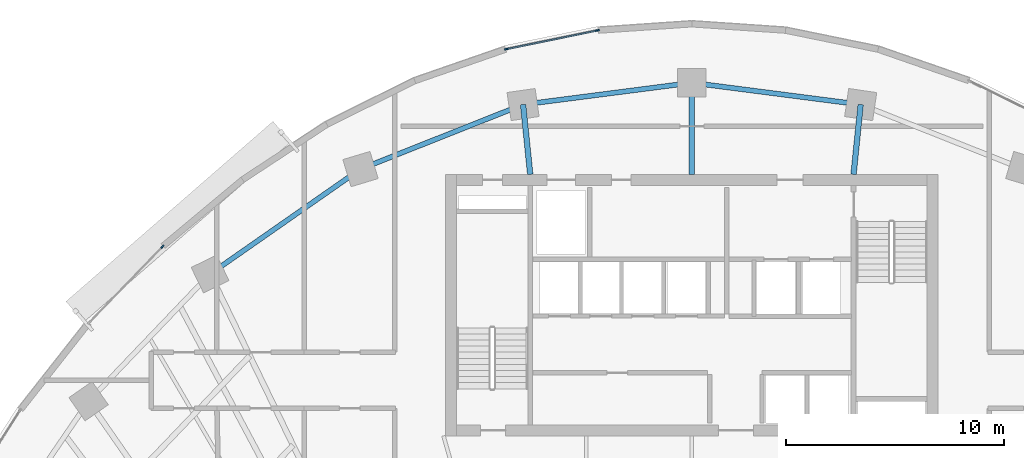
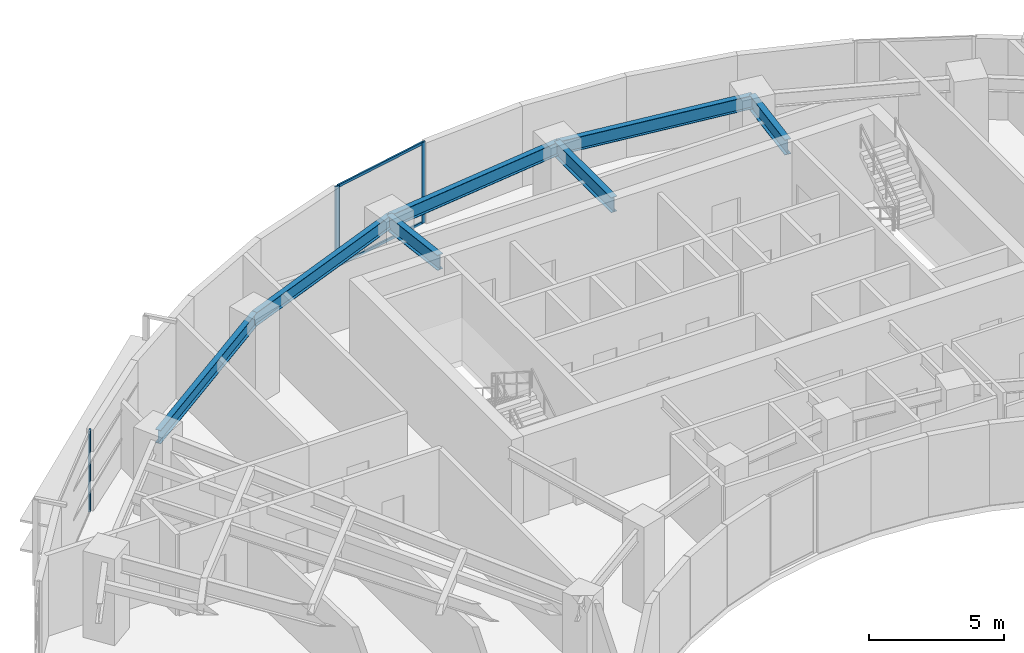
# One storey, part 5 of 14: 7 beams, 5 members, 2 elements without a shape of their own.
"""IFC4 building model written with IfcOpenShell, lengths in metres."""

from ifc_helpers import new_model, si_unit, direction, frame, origin, origin_2d, place, context, subcontext, project, spatial, rectangle, i_section, extrude, source, transform, mapped, material, layer, layer_set, material_profile, profile_set, type_object, element, aggregate, save


model = new_model("IFC4")

# Units and contexts
model_context = context("Model", 3, precision=1e-05, world=origin(), true_north=direction((0.0, 1.0)))
body_context = subcontext(model_context, "Body", "Model", "MODEL_VIEW")
ifc_project = project(units=[si_unit("LENGTHUNIT", "METRE"), si_unit("AREAUNIT", "SQUARE_METRE"), si_unit("VOLUMEUNIT", "CUBIC_METRE"), si_unit("PLANEANGLEUNIT", "RADIAN"), si_unit("MASSUNIT", "GRAM", prefix="KILO")], contexts=[model_context])

# Site, building, storey
site_placement = place(None, origin())
site = spatial("IfcSite", under=ifc_project, at=site_placement, CompositionType="ELEMENT")
building_placement = place(site_placement, origin())
building = spatial("IfcBuilding", under=site, at=building_placement, Name="Breltana Convention Tower", CompositionType="ELEMENT")
storey_placement = place(building_placement, frame((0.0, 0.0, 131.10009765625)))
storey = spatial("IfcBuildingStorey", under=building, at=storey_placement, Name="L31", CompositionType="ELEMENT", Elevation=131.10009765625)

# Beams
ifc_material_1 = material(Name="Steel ASTM A992 Grade 50", Category="steel")
ifc_material_profile_1 = material_profile(ifc_material_1, i_section(OverallWidth=0.25390625, OverallDepth=0.68798828125, WebThickness=0.01318359375, FlangeThickness=0.02099609375, at=origin_2d()), Name="W27X102")
ifc_profile_set_1 = profile_set([ifc_material_profile_1], Name="Steel ASTM A992 Grade 50")
beam_type_1 = type_object("IfcBeamType", Name="BM-RG-W27X102", PredefinedType="USERDEFINED", material=ifc_profile_set_1)
shared_shape_1 = source(origin(), body_context, "Body", "SweptSolid", [
    extrude(i_section(OverallWidth=0.25390625, OverallDepth=0.68798828125, WebThickness=0.01318359375, FlangeThickness=0.02099609375, at=origin_2d()), origin(), (0.0, 0.0, 1.0), 3.220947265625),
])
for number, where, z_axis, x_axis, name in (
    (1, (40.580078125, 72.199951171875, 3.305908203125), (-0.101492254858, 0.994836329355, 0.0), (-0.994836329355, -0.101492254858, 0.0), "L31 North Core Radial Girder R05"),
    (2, (55.419921875, 72.199951171875, 3.305908203125), (0.101492254858, 0.994836329355, 0.0), (-0.994836329355, 0.101492254858, 0.0), "L31 North Core Radial Girder R07"),
):
    element("IfcBeam", number, at=place(storey_placement, frame(where, z_axis=z_axis, x_axis=x_axis)), inside=storey, type_object=beam_type_1, Name=name, ObjectType="GIRDER", PredefinedType="USERDEFINED", context=body_context, shape_type="MappedRepresentation", body=[
        mapped(shared_shape_1, transform((0.0, 0.0, 0.0), scale=1.0)),
    ])
shared_shape_2 = source(origin(), body_context, "Body", "SweptSolid", [
    extrude(i_section(OverallWidth=0.25390625, OverallDepth=0.68798828125, WebThickness=0.01318359375, FlangeThickness=0.02099609375, at=origin_2d()), origin(), (0.0, 0.0, 1.0), 4.2041015625),
])
beam_1_placement = place(storey_placement, frame((48.0, 72.199951171875, 3.305908203125), z_axis=(0.0, 1.0, 0.0), x_axis=(-1.0, 0.0, 0.0)))
element("IfcBeam", 3, at=beam_1_placement, inside=storey, type_object=beam_type_1, Name="L31 North Core Radial Girder R06", ObjectType="GIRDER", PredefinedType="USERDEFINED", context=body_context, shape_type="MappedRepresentation", body=[
    mapped(shared_shape_2, transform((0.0, 0.0, 0.0), scale=1.0)),
])
ifc_material_profile_2 = material_profile(ifc_material_1, i_section(OverallWidth=0.22802734375, OverallDepth=0.60791015625, WebThickness=0.01123046875, FlangeThickness=0.017333984375, at=origin_2d()), Name="W24X76")
ifc_profile_set_2 = profile_set([ifc_material_profile_2], Name="Steel ASTM A992 Grade 50")
beam_type_2 = type_object("IfcBeamType", Name="BM-SP-W24X76", PredefinedType="SPANDREL", material=ifc_profile_set_2)
shared_shape_3 = source(origin(), body_context, "Body", "SweptSolid", [
    extrude(i_section(OverallWidth=0.22802734375, OverallDepth=0.60791015625, WebThickness=0.01123046875, FlangeThickness=0.017333984375, at=origin_2d()), origin(), (0.0, 0.0, 1.0), 8.4169921875),
])
beam_2_placement = place(storey_placement, frame((25.8876953125, 67.626953125, 3.345947265625), z_axis=(0.820173800102, 0.572114444519, 0.0), x_axis=(-0.572114444519, 0.820173800102, 0.0)))
element("IfcBeam", 4, at=beam_2_placement, inside=storey, type_object=beam_type_2, Name="L31 Outer Spandrel Beam 03", PredefinedType="SPANDREL", context=body_context, shape_type="MappedRepresentation", body=[
    mapped(shared_shape_3, transform((0.0, 0.0, 0.0), scale=1.0)),
])
shared_shape_4 = source(origin(), body_context, "Body", "SweptSolid", [
    extrude(i_section(OverallWidth=0.22802734375, OverallDepth=0.60791015625, WebThickness=0.01123046875, FlangeThickness=0.017333984375, at=origin_2d()), origin(), (0.0, 0.0, 1.0), 8.028564453125),
])
beam_3_placement = place(storey_placement, frame((32.791015625, 72.4423828125, 3.345947265625), z_axis=(0.929459100394, 0.368925169507, 0.0), x_axis=(-0.368925169507, 0.929459100394, 0.0)))
element("IfcBeam", 5, at=beam_3_placement, inside=storey, type_object=beam_type_2, Name="L31 Outer Spandrel Beam 04", PredefinedType="SPANDREL", context=body_context, shape_type="MappedRepresentation", body=[
    mapped(shared_shape_4, transform((0.0, 0.0, 0.0), scale=1.0)),
])
shared_shape_5 = source(origin(), body_context, "Body", "SweptSolid", [
    extrude(i_section(OverallWidth=0.22802734375, OverallDepth=0.60791015625, WebThickness=0.01123046875, FlangeThickness=0.017333984375, at=origin_2d()), origin(), (0.0, 0.0, 1.0), 7.81103515625),
])
for number, where, z_axis, x_axis, name in (
    (6, (40.253173828125, 75.404296875, 3.345947265625), (0.991775179127, 0.127992164083, 0.0), (-0.127992164083, 0.991775179127, 0.0), "L31 Outer Spandrel Beam 05"),
    (7, (48.0, 76.404052734375, 3.345947265625), (0.991775179127, -0.127992164083, 0.0), (0.127992164083, 0.991775179127, 0.0), "L31 Outer Spandrel Beam 06"),
):
    element("IfcBeam", number, at=place(storey_placement, frame(where, z_axis=z_axis, x_axis=x_axis)), inside=storey, type_object=beam_type_2, Name=name, PredefinedType="SPANDREL", context=body_context, shape_type="MappedRepresentation", body=[
        mapped(shared_shape_5, transform((0.0, 0.0, 0.0), scale=1.0)),
    ])

# Curtain wall, member
ifc_material_2 = material(Name="Aluminium Anodised Bronze Frame", Category="aluminium")
ifc_layer = layer(ifc_material_2, 0.22998046875, Name="Aluminium Anodised Bronze Frame")
ifc_layer_set = layer_set([ifc_layer], Name="Aluminium Anodised Bronze Frame")
curtain_wall_type = type_object("IfcCurtainWallType", Name="CW-SYS-5", PredefinedType="NOTDEFINED", material=ifc_layer_set)
curtain_wall_1_placement = place(storey_placement, origin())
curtain_wall_1 = element("IfcCurtainWall", 8, at=curtain_wall_1_placement, inside=storey, type_object=curtain_wall_type, Name="L31 outer double-skin inner glazing 2", PredefinedType="NOTDEFINED")
ifc_material_3 = material(Name="Aluminium Anodised Bronze", Category="aluminium")
ifc_material_profile_3 = material_profile(ifc_material_3, rectangle(XDim=0.070068359375, YDim=0.175048828125, at=origin_2d()), Name="CWM-70X175")
ifc_profile_set_3 = profile_set([ifc_material_profile_3], Name="Aluminium Anodised Bronze")
member_type_1 = type_object("IfcMemberType", Name="CWM-175", PredefinedType="MULLION", material=ifc_profile_set_3)
shared_shape_6 = source(origin(), body_context, "Body", "SweptSolid", [
    extrude(rectangle(XDim=0.070068359375, YDim=0.175048828125, at=origin_2d()), origin(), (0.0, 0.0, 1.0), 3.64990234375),
])
member_1_placement = place(storey_placement, frame((23.700439453125, 68.88232421875, 0.0), z_axis=(0.0, 0.0, 1.0), x_axis=(-0.719384961558, 0.694611601605, 0.0)))
member_1 = element("IfcMember", 9, at=member_1_placement, type_object=member_type_1, Name="CW-05 mullion 2", PredefinedType="MULLION", context=body_context, shape_type="MappedRepresentation", body=[
    mapped(shared_shape_6, transform((0.0, 0.0, 0.0), scale=1.0)),
])
aggregate(curtain_wall_1, [member_1])

# Curtain wall, members
curtain_wall_2_placement = place(storey_placement, origin())
curtain_wall_2 = element("IfcCurtainWall", 10, at=curtain_wall_2_placement, inside=storey, type_object=curtain_wall_type, Name="L31 outer double-skin inner glazing 3", PredefinedType="NOTDEFINED")
member_2_placement = place(storey_placement, frame((39.486083984375, 77.947998046875, 0.0), z_axis=(0.0, 0.0, 1.0), x_axis=(-0.200858550415, 0.979620254346, 0.0)))
member_2 = element("IfcMember", 11, at=member_2_placement, type_object=member_type_1, Name="CW-05 mullion 1", PredefinedType="MULLION", context=body_context, shape_type="MappedRepresentation", body=[
    mapped(shared_shape_6, transform((0.0, 0.0, 0.0), scale=1.0)),
])
member_3_placement = place(storey_placement, frame((43.669921875, 78.805908203125, 0.0), z_axis=(0.0, 0.0, 1.0), x_axis=(-0.200858550415, 0.979620254346, 0.0)))
member_3 = element("IfcMember", 12, at=member_3_placement, type_object=member_type_1, Name="CW-05 mullion 2", PredefinedType="MULLION", context=body_context, shape_type="MappedRepresentation", body=[
    mapped(shared_shape_6, transform((0.0, 0.0, 0.0), scale=1.0)),
])
ifc_material_profile_4 = material_profile(ifc_material_3, rectangle(XDim=0.070068359375, YDim=0.1201171875, at=origin_2d()), Name="CWT-70X120")
ifc_profile_set_4 = profile_set([ifc_material_profile_4], Name="Aluminium Anodised Bronze")
member_type_2 = type_object("IfcMemberType", Name="CWT-120", PredefinedType="USERDEFINED", material=ifc_profile_set_4)
shared_shape_7 = source(origin(), body_context, "Body", "SweptSolid", [
    extrude(rectangle(XDim=0.070068359375, YDim=0.1201171875, at=origin_2d()), origin(), (0.0, 0.0, 1.0), 4.200927734375),
])
member_4_placement = place(storey_placement, frame((39.520263671875, 77.955078125, 0.034912109375), z_axis=(0.979621469833, 0.200852622196, 0.0), x_axis=(-0.200852622196, 0.979621469833, 0.0)))
member_4 = element("IfcMember", 13, at=member_4_placement, type_object=member_type_2, Name="CW-05 transom 1.1", ObjectType="TRANSOM", PredefinedType="USERDEFINED", context=body_context, shape_type="MappedRepresentation", body=[
    mapped(shared_shape_7, transform((0.0, 0.0, 0.0), scale=1.0)),
])
member_5_placement = place(storey_placement, frame((39.520263671875, 77.955078125, 3.614990234375), z_axis=(0.979621469833, 0.200852622196, 0.0), x_axis=(-0.200852622196, 0.979621469833, 0.0)))
member_5 = element("IfcMember", 14, at=member_5_placement, type_object=member_type_2, Name="CW-05 transom 1.2", ObjectType="TRANSOM", PredefinedType="USERDEFINED", context=body_context, shape_type="MappedRepresentation", body=[
    mapped(shared_shape_7, transform((0.0, 0.0, 0.0), scale=1.0)),
])
aggregate(curtain_wall_2, [member_2, member_3, member_4, member_5])

save(model, "model.ifc")
